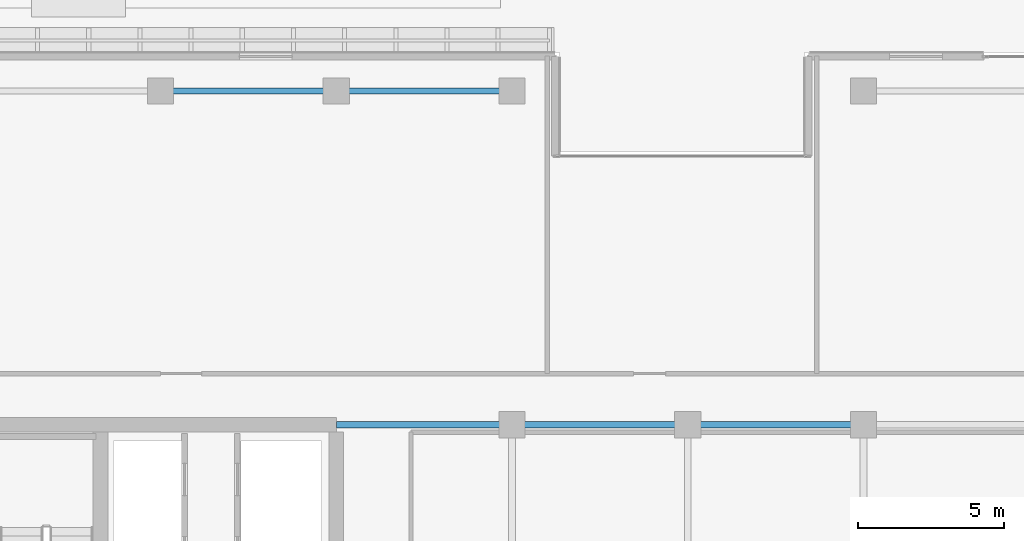
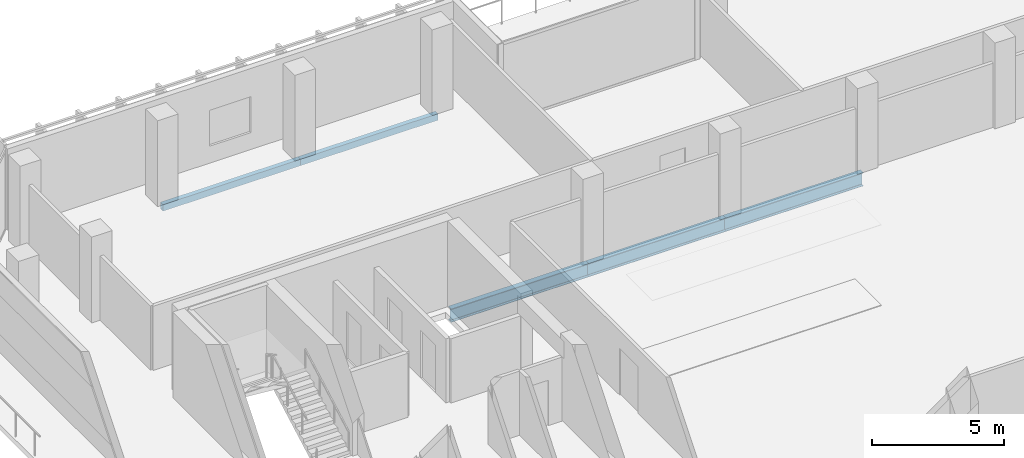
# One storey, part 10 of 30: 5 beams.
"""IFC4 building model written with IfcOpenShell, lengths in metres."""

from ifc_helpers import new_model, si_unit, direction, frame, origin, origin_2d, place, context, subcontext, project, spatial, hollow_rectangle, i_section, extrude, material, material_profile, profile_set, type_object, element, save


model = new_model("IFC4")

# Units and contexts
model_context = context("Model", 3, precision=1e-05, world=origin(), true_north=direction((0.0, 1.0)))
body_context = subcontext(model_context, "Body", "Model", "MODEL_VIEW")
ifc_project = project(units=[si_unit("LENGTHUNIT", "METRE"), si_unit("AREAUNIT", "SQUARE_METRE"), si_unit("VOLUMEUNIT", "CUBIC_METRE"), si_unit("PLANEANGLEUNIT", "RADIAN"), si_unit("MASSUNIT", "GRAM", prefix="KILO")], contexts=[model_context])

# Site, building, storey
site_placement = place(None, origin())
site = spatial("IfcSite", under=ifc_project, at=site_placement, CompositionType="ELEMENT")
building_placement = place(site_placement, origin())
building = spatial("IfcBuilding", under=site, at=building_placement, Name="Tanjung Sevakor Pilgrim Tower", CompositionType="ELEMENT")
storey_placement = place(building_placement, frame((0.0, 0.0, 128.0400390625)))
storey = spatial("IfcBuildingStorey", under=building, at=storey_placement, Name="L35", CompositionType="ELEMENT", Elevation=128.0400390625)

# Beams
ifc_material_1 = material(Name="Steel S355J2", Category="steel")
ifc_material_profile_1 = material_profile(ifc_material_1, i_section(OverallWidth=0.230224609375, OverallDepth=0.6171875, WebThickness=0.01318359375, FlangeThickness=0.022216796875, FilletRadius=0.0126953125, at=origin_2d()))
ifc_profile_set_1 = profile_set([ifc_material_profile_1], Name="Steel S355J2")
beam_type_1 = type_object("IfcBeamType", Name="BM-B-G3-UB_610x229x140", PredefinedType="BEAM", material=ifc_profile_set_1)
for number, where, z_axis, x_axis, name in (
    (1, (36.0, 42.60009765625, -0.588623046875), (1.0, 0.0, 0.0), (0.0, 1.0, 0.0), "L35 Primary Floor Girder MAIN Y426-01"),
    (2, (42.0, 42.60009765625, -0.588623046875), (1.0, 0.0, 0.0), (0.0, 1.0, 0.0), "L35 Primary Floor Girder MAIN Y426-02"),
    (3, (48.0, 42.60009765625, -0.588623046875), (1.0, 0.0, 0.0), (0.0, 1.0, 0.0), "L35 Primary Floor Girder MAIN Y426-03"),
):
    element("IfcBeam", number, at=place(storey_placement, frame(where, z_axis=z_axis, x_axis=x_axis)), inside=storey, type_object=beam_type_1, Name=name, PredefinedType="BEAM", context=body_context, shape_type="SweptSolid", body=[
        extrude(i_section(OverallWidth=0.230224609375, OverallDepth=0.6171875, WebThickness=0.01318359375, FlangeThickness=0.022216796875, FilletRadius=0.0126953125, at=origin_2d()), origin(), (0.0, 0.0, 1.0), 6.0),
    ])
ifc_material_2 = material(Name="Steel S355J2", Category="steel")
ifc_material_profile_2 = material_profile(ifc_material_2, hollow_rectangle(XDim=0.199951171875, YDim=0.300048828125, WallThickness=0.012451171875, at=origin_2d()))
ifc_profile_set_2 = profile_set([ifc_material_profile_2], Name="Steel S355J2")
beam_type_2 = type_object("IfcBeamType", Name="BM-B-SP3-RHS_300x200x12.5", PredefinedType="SPANDREL", material=ifc_profile_set_2)
for number, where, z_axis, x_axis, name in (
    (4, (30.0, 54.0, -0.429931640625), (1.0, 0.0, 0.0), (0.0, 1.0, 0.0), "L35 Spandrel MAIN N-04"),
    (5, (36.0, 54.0, -0.429931640625), (1.0, 0.0, 0.0), (0.0, 1.0, 0.0), "L35 Spandrel MAIN N-06"),
):
    element("IfcBeam", number, at=place(storey_placement, frame(where, z_axis=z_axis, x_axis=x_axis)), inside=storey, type_object=beam_type_2, Name=name, PredefinedType="SPANDREL", context=body_context, shape_type="SweptSolid", body=[
        extrude(hollow_rectangle(XDim=0.199951171875, YDim=0.300048828125, WallThickness=0.012451171875, at=origin_2d()), origin(), (0.0, 0.0, 1.0), 6.0),
    ])

save(model, "model.ifc")
